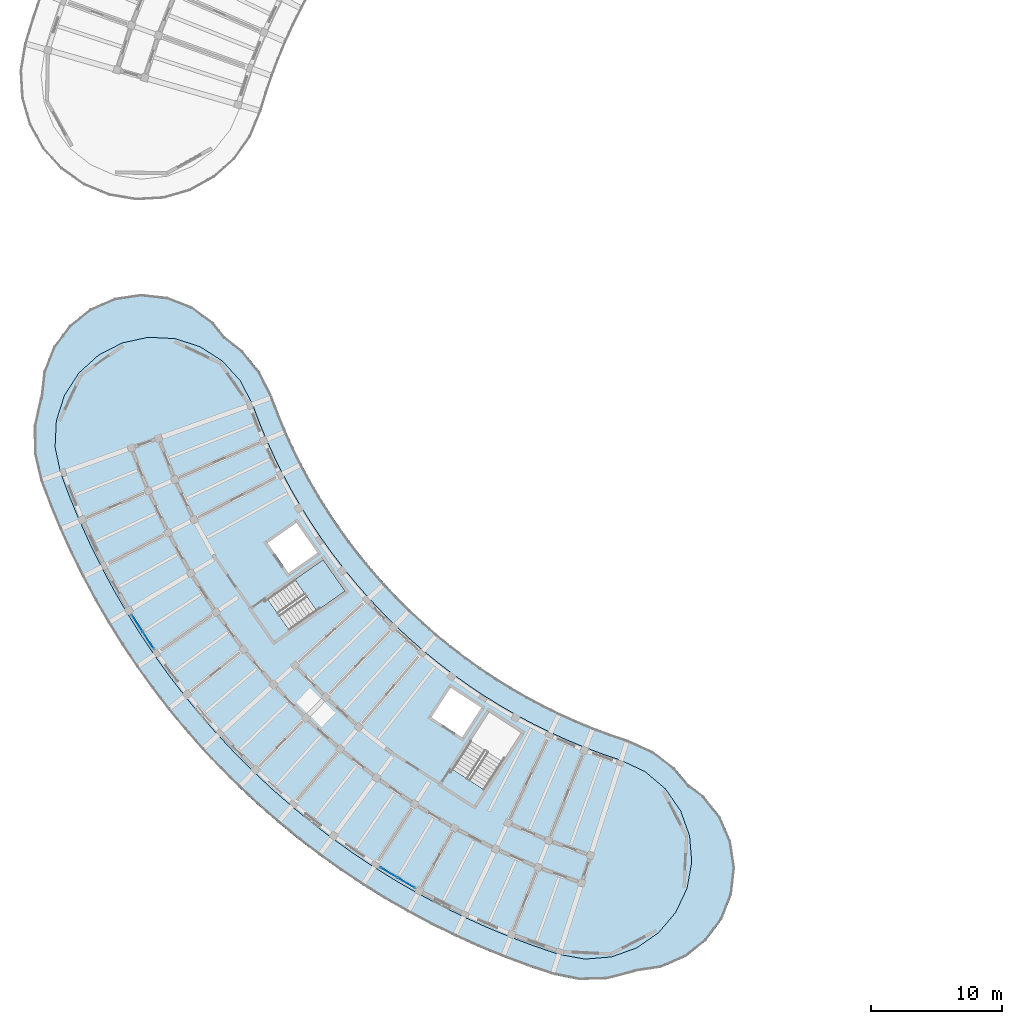
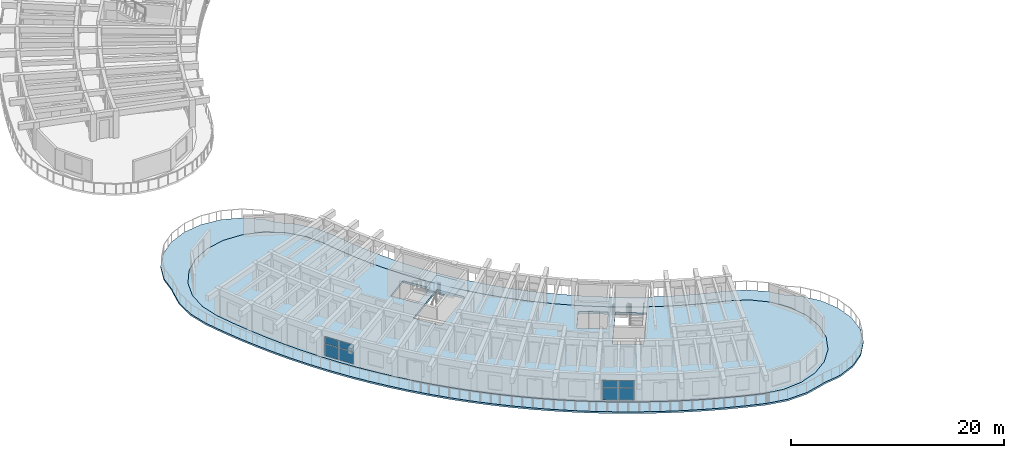
# One storey, part 29 of 78: 8 plates, 3 slabs, 3 elements without a shape of their own.
"""IFC4 building model written with IfcOpenShell, lengths in metres."""

from ifc_helpers import new_model, si_unit, direction, frame, origin, origin_2d, place, context, subcontext, project, spatial, polyline, rectangle, outline, extrude, material, layer, layer_set, type_object, element, aggregate, save


model = new_model("IFC4")

# Units and contexts
model_context = context("Model", 3, precision=1e-05, world=origin(), true_north=direction((0.0, 1.0)))
body_context = subcontext(model_context, "Body", "Model", "MODEL_VIEW")
ifc_project = project(units=[si_unit("LENGTHUNIT", "METRE"), si_unit("AREAUNIT", "SQUARE_METRE"), si_unit("VOLUMEUNIT", "CUBIC_METRE"), si_unit("PLANEANGLEUNIT", "RADIAN"), si_unit("MASSUNIT", "GRAM", prefix="KILO")], contexts=[model_context])

# Site, building, storey
site_placement = place(None, origin())
site = spatial("IfcSite", under=ifc_project, at=site_placement, CompositionType="ELEMENT")
building_placement = place(site_placement, origin())
building = spatial("IfcBuilding", under=site, at=building_placement, Name="Tanwirah Colonnade Gardens", CompositionType="ELEMENT")
storey_placement = place(building_placement, frame((0.0, 0.0, 22.280029296875)))
storey = spatial("IfcBuildingStorey", under=building, at=storey_placement, Name="L06", CompositionType="ELEMENT", Elevation=22.280029296875)

# Curtain wall, plates
ifc_material_1 = material(Name="Bronze-anodised aluminium and solar-control low-E glass", Category="aluminium")
curtain_wall_type = type_object("IfcCurtainWallType", Name="CW-LOB", PredefinedType="NOTDEFINED", material=ifc_material_1)
curtain_wall_1_placement = place(storey_placement, origin())
curtain_wall_1 = element("IfcCurtainWall", 1, at=curtain_wall_1_placement, inside=storey, type_object=curtain_wall_type, Name="Curtain Wall CW-C-L06-OUT-04", PredefinedType="NOTDEFINED")
ifc_material_2 = material(Name="Acoustic solar-control low-E double glazing", Category="glass")
ifc_layer_1 = layer(ifc_material_2, 0.031982421875)
ifc_layer_set_1 = layer_set([ifc_layer_1], Name="Acoustic solar-control low-E double glazing")
plate_type = type_object("IfcPlateType", Name="CWP-GLZ32", PredefinedType="CURTAIN_PANEL", material=ifc_layer_set_1)
plate_1_placement = place(storey_placement, frame((14.591796875, 32.845458984375, 0.070068359375), z_axis=(0.0, 0.0, 1.0), x_axis=(0.542807180243, -0.839857348052, 0.0)))
plate_1 = element("IfcPlate", 2, at=plate_1_placement, type_object=plate_type, Name="CW-LOB panel 1.1", PredefinedType="CURTAIN_PANEL", context=body_context, shape_type="SweptSolid", body=[
    extrude(rectangle(XDim=1.4833984375, YDim=0.031982421875, at=origin_2d()), origin(), (0.0, 0.0, 1.0), 1.35498046875),
])
plate_2_placement = place(storey_placement, frame((14.591796875, 32.845458984375, 1.4951171875), z_axis=(0.0, 0.0, 1.0), x_axis=(0.542807180243, -0.839857348052, 0.0)))
plate_2 = element("IfcPlate", 3, at=plate_2_placement, type_object=plate_type, Name="CW-LOB panel 1.2", PredefinedType="CURTAIN_PANEL", context=body_context, shape_type="SweptSolid", body=[
    extrude(rectangle(XDim=1.4833984375, YDim=0.031982421875, at=origin_2d()), origin(), (0.0, 0.0, 1.0), 0.789794921875),
])
plate_3_placement = place(storey_placement, frame((15.434814453125, 31.540771484375, 0.070068359375), z_axis=(0.0, 0.0, 1.0), x_axis=(0.542807180243, -0.839857348052, 0.0)))
plate_3 = element("IfcPlate", 4, at=plate_3_placement, type_object=plate_type, Name="CW-LOB panel 2.1", PredefinedType="CURTAIN_PANEL", context=body_context, shape_type="SweptSolid", body=[
    extrude(rectangle(XDim=1.4833984375, YDim=0.031982421875, at=origin_2d()), origin(), (0.0, 0.0, 1.0), 1.35498046875),
])
plate_4_placement = place(storey_placement, frame((15.434814453125, 31.540771484375, 1.4951171875), z_axis=(0.0, 0.0, 1.0), x_axis=(0.542807180243, -0.839857348052, 0.0)))
plate_4 = element("IfcPlate", 5, at=plate_4_placement, type_object=plate_type, Name="CW-LOB panel 2.2", PredefinedType="CURTAIN_PANEL", context=body_context, shape_type="SweptSolid", body=[
    extrude(rectangle(XDim=1.4833984375, YDim=0.031982421875, at=origin_2d()), origin(), (0.0, 0.0, 1.0), 0.789794921875),
])
aggregate(curtain_wall_1, [plate_1, plate_2, plate_3, plate_4])

curtain_wall_2_placement = place(storey_placement, origin())
curtain_wall_2 = element("IfcCurtainWall", 6, at=curtain_wall_2_placement, inside=storey, type_object=curtain_wall_type, Name="Curtain Wall CW-C-L06-OUT-11", PredefinedType="NOTDEFINED")
plate_5_placement = place(storey_placement, frame((33.79052734375, 13.81494140625, 0.070068359375), z_axis=(0.0, 0.0, 1.0), x_axis=(0.858289025142, -0.513166590222, 0.0)))
plate_5 = element("IfcPlate", 7, at=plate_5_placement, type_object=plate_type, Name="CW-LOB panel 1.1", PredefinedType="CURTAIN_PANEL", context=body_context, shape_type="SweptSolid", body=[
    extrude(rectangle(XDim=1.4833984375, YDim=0.031982421875, at=origin_2d()), origin(), (0.0, 0.0, 1.0), 1.35498046875),
])
plate_6_placement = place(storey_placement, frame((33.79052734375, 13.81494140625, 1.4951171875), z_axis=(0.0, 0.0, 1.0), x_axis=(0.858289025142, -0.513166590222, 0.0)))
plate_6 = element("IfcPlate", 8, at=plate_6_placement, type_object=plate_type, Name="CW-LOB panel 1.2", PredefinedType="CURTAIN_PANEL", context=body_context, shape_type="SweptSolid", body=[
    extrude(rectangle(XDim=1.4833984375, YDim=0.031982421875, at=origin_2d()), origin(), (0.0, 0.0, 1.0), 0.789794921875),
])
plate_7_placement = place(storey_placement, frame((35.1240234375, 13.017578125, 0.070068359375), z_axis=(0.0, 0.0, 1.0), x_axis=(0.858289025142, -0.513166590222, 0.0)))
plate_7 = element("IfcPlate", 9, at=plate_7_placement, type_object=plate_type, Name="CW-LOB panel 2.1", PredefinedType="CURTAIN_PANEL", context=body_context, shape_type="SweptSolid", body=[
    extrude(rectangle(XDim=1.4833984375, YDim=0.031982421875, at=origin_2d()), origin(), (0.0, 0.0, 1.0), 1.35498046875),
])
plate_8_placement = place(storey_placement, frame((35.1240234375, 13.017578125, 1.4951171875), z_axis=(0.0, 0.0, 1.0), x_axis=(0.858289025142, -0.513166590222, 0.0)))
plate_8 = element("IfcPlate", 10, at=plate_8_placement, type_object=plate_type, Name="CW-LOB panel 2.2", PredefinedType="CURTAIN_PANEL", context=body_context, shape_type="SweptSolid", body=[
    extrude(rectangle(XDim=1.4833984375, YDim=0.031982421875, at=origin_2d()), origin(), (0.0, 0.0, 1.0), 0.789794921875),
])
aggregate(curtain_wall_2, [plate_5, plate_6, plate_7, plate_8])

# Slab
ifc_material_3 = material(Name="White architectural precast concrete C40/50", Category="concrete")
ifc_layer_2 = layer(ifc_material_3, 0.199951171875)
ifc_layer_set_2 = layer_set([ifc_layer_2], Name="White architectural precast concrete C40/50")
slab_type_1 = type_object("IfcSlabType", Name="SL-BAL-200", PredefinedType="FLOOR", material=ifc_layer_set_2)
slab_1_placement = place(storey_placement, frame((0.0, 0.0, -0.199951171875)))
element("IfcSlab", 11, at=slab_1_placement, inside=storey, type_object=slab_type_1, Name="Block C L06 Continuous White Balcony Ribbon", PredefinedType="FLOOR", context=body_context, shape_type="SweptSolid", body=[
    extrude(outline(polyline([(21.296875, 54.691162109375), (20.4326171875, 55.777587890625), (18.7958984375, 56.98876953125), (16.9013671875, 57.735107421875), (14.878173828125, 57.965576171875), (12.864501953125, 57.664794921875), (10.9970703125, 56.852783203125), (9.403564453125, 55.585205078125), (8.1923828125, 53.948486328125), (7.446044921875, 52.053955078125), (7.222412109375, 50.090087890625), (7.161376953125, 49.9609375), (6.709716796875, 47.905029296875), (6.726806640625, 45.80029296875), (7.2119140625, 43.751953125), (7.921630859375, 41.872314453125), (8.692626953125, 40.016845703125), (9.523681640625, 38.1875), (10.414306640625, 36.386474609375), (11.363525390625, 34.61572265625), (12.369873046875, 32.876708984375), (13.432861328125, 31.171630859375), (14.55078125, 29.502197265625), (15.722900390625, 27.870361328125), (16.94775390625, 26.277587890625), (18.22412109375, 24.725830078125), (19.550537109375, 23.216796875), (20.92578125, 21.751708984375), (22.347900390625, 20.33251953125), (23.81591796875, 18.960693359375), (25.327880859375, 17.637451171875), (26.882568359375, 16.364501953125), (28.477783203125, 15.143310546875), (30.1123046875, 13.974609375), (31.7841796875, 12.860107421875), (33.491455078125, 11.801025390625), (35.232666015625, 10.79833984375), (37.005615234375, 9.85302734375), (38.80859375, 8.966552734375), (40.6396484375, 8.13916015625), (42.496826171875, 7.372314453125), (44.3779296875, 6.666748046875), (46.28125, 6.02294921875), (48.34521484375, 5.609619140625), (50.449462890625, 5.666015625), (52.48828125, 6.189208984375), (52.615234375, 6.254638671875), (54.570068359375, 6.546875), (56.437255859375, 7.358642578125), (58.031005859375, 8.626220703125), (59.2421875, 10.26318359375), (59.98828125, 12.15771484375), (60.218994140625, 14.1806640625), (59.91796875, 16.194580078125), (59.10595703125, 18.06201171875), (57.83837890625, 19.655517578125), (56.722412109375, 20.481201171875), (55.61328125, 21.7978515625), (53.93310546875, 23.06591796875), (52.0126953125, 23.927978515625), (50.692138671875, 24.37451171875), (49.386962890625, 24.8642578125), (48.0986328125, 25.396240234375), (46.828125, 25.97021484375), (45.5771484375, 26.58544921875), (44.34716796875, 27.2412109375), (43.13916015625, 27.93701171875), (41.95458984375, 28.671630859375), (40.794677734375, 29.445068359375), (39.66064453125, 30.255615234375), (38.5537109375, 31.10302734375), (37.47509765625, 31.986328125), (36.426025390625, 32.904296875), (35.407470703125, 33.856201171875), (34.420654296875, 34.8408203125), (33.466796875, 35.857177734375), (32.54638671875, 36.904296875), (31.660888671875, 37.98095703125), (30.81103515625, 39.0859375), (29.997802734375, 40.218017578125), (29.22216796875, 41.37646484375), (28.484619140625, 42.559326171875), (27.786376953125, 43.765869140625), (27.1279296875, 44.99462890625), (26.510009765625, 46.244140625), (25.933349609375, 47.51318359375), (25.3984375, 48.800537109375), (24.906005859375, 50.104736328125), (23.977294921875, 51.99365234375), (22.651611328125, 53.628662109375), (21.296875, 54.691162109375)]), holes=[polyline([(22.451171875, 51.36279296875), (23.3818359375, 49.555908203125), (23.892333984375, 48.203857421875), (23.892578125, 48.203369140625), (24.447509765625, 46.86767578125), (24.44775390625, 46.866943359375), (25.046142578125, 45.55029296875), (25.04638671875, 45.549560546875), (25.6875, 44.253173828125), (25.687744140625, 44.25244140625), (26.37109375, 42.977783203125), (26.371337890625, 42.97705078125), (27.095947265625, 41.725341796875), (27.09619140625, 41.724853515625), (27.861328125, 40.497314453125), (27.86181640625, 40.496826171875), (28.66650390625, 39.294921875), (28.6669921875, 39.29443359375), (29.5107421875, 38.11962890625), (29.51123046875, 38.119140625), (30.392822265625, 36.97265625), (30.393310546875, 36.97216796875), (31.31201171875, 35.85498046875), (31.3125, 35.8544921875), (32.267333984375, 34.76806640625), (32.267822265625, 34.767578125), (33.257568359375, 33.713134765625), (33.258056640625, 33.712646484375), (34.281982421875, 32.69091796875), (34.282470703125, 32.690673828125), (35.339111328125, 31.702880859375), (35.339599609375, 31.70263671875), (36.42822265625, 30.75), (36.4287109375, 30.749755859375), (37.547607421875, 29.833251953125), (37.54833984375, 29.8330078125), (38.69677734375, 28.95361328125), (38.697265625, 28.953369140625), (39.873779296875, 28.112060546875), (39.874267578125, 28.111572265625), (41.077880859375, 27.309326171875), (41.078369140625, 27.30908203125), (42.307373046875, 26.546630859375), (42.30810546875, 26.54638671875), (43.5615234375, 25.824462890625), (43.56201171875, 25.82421875), (44.83837890625, 25.143798828125), (44.8388671875, 25.1435546875), (46.13671875, 24.505126953125), (46.137451171875, 24.5048828125), (47.45556640625, 23.909423828125), (47.4560546875, 23.9091796875), (48.79296875, 23.357177734375), (48.793701171875, 23.35693359375), (50.14794921875, 22.848876953125), (50.1484375, 22.8486328125), (51.517578125, 22.385498046875), (53.355712890625, 21.5185546875), (54.90576171875, 20.206298828125), (56.0634765625, 18.53759765625), (56.749755859375, 16.626220703125), (56.91796875, 14.60205078125), (56.556640625, 12.603515625), (55.690185546875, 10.766845703125), (54.3779296875, 9.216552734375), (52.709228515625, 8.05908203125), (50.7978515625, 7.372802734375), (48.773681640625, 7.20458984375), (46.774169921875, 7.566162109375), (44.922119140625, 8.192626953125), (43.090576171875, 8.879638671875), (41.282470703125, 9.626220703125), (39.499755859375, 10.431640625), (37.744384765625, 11.294921875), (36.01806640625, 12.21533203125), (34.322998046875, 13.19140625), (32.66064453125, 14.22265625), (31.03271484375, 15.3076171875), (29.44140625, 16.445556640625), (27.88818359375, 17.634521484375), (26.374755859375, 18.8740234375), (24.902587890625, 20.162109375), (23.473388671875, 21.497802734375), (22.088623046875, 22.879638671875), (20.749755859375, 24.305908203125), (19.458251953125, 25.775146484375), (18.215576171875, 27.2861328125), (17.023193359375, 28.836669921875), (15.8818359375, 30.425537109375), (14.79345703125, 32.051025390625), (13.758544921875, 33.7109375), (12.778564453125, 35.404052734375), (11.8544921875, 37.12841796875), (10.987548828125, 38.8818359375), (10.17822265625, 40.662841796875), (9.427490234375, 42.46923828125), (8.73681640625, 44.29833984375), (8.3056640625, 46.2841796875), (8.403076171875, 48.312744140625), (9.0224609375, 50.2470703125), (10.12109375, 51.955078125), (11.624267578125, 53.320556640625), (13.429931640625, 54.25048828125), (15.41455078125, 54.681396484375), (17.443115234375, 54.583984375), (19.37744140625, 53.96484375), (21.085693359375, 52.8662109375), (22.451171875, 51.36279296875)])]), origin(), (0.0, 0.0, 1.0), 0.199951171875),
])

# Stair, slab
ifc_material_4 = material(Name="Precast concrete C40/50", Category="concrete")
stair_type = type_object("IfcStairType", Name="ST-RES168", PredefinedType="HALF_TURN_STAIR", material=ifc_material_4)
stair_placement = place(storey_placement, origin())
stair = element("IfcStair", 12, at=stair_placement, inside=storey, type_object=stair_type, Name="L06 Block C Core 1 Exit Stair", PredefinedType="HALF_TURN_STAIR")
ifc_layer_3 = layer(ifc_material_4, 0.205078125)
ifc_layer_set_3 = layer_set([ifc_layer_3], Name="Precast concrete C40/50")
slab_type_2 = type_object("IfcSlabType", Name="SL-LND-205", PredefinedType="LANDING", material=ifc_layer_set_3)
slab_2_placement = place(storey_placement, frame((0.0, 0.0, 1.474853515625)))
slab_2 = element("IfcSlab", 13, at=slab_2_placement, type_object=slab_type_2, Name="ST-C1 landing 1", PredefinedType="LANDING", context=body_context, shape_type="SweptSolid", body=[
    extrude(outline(polyline([(28.290283203125, 33.79052734375), (30.448974609375, 35.3017578125), (28.77392578125, 37.69384765625), (26.615478515625, 36.182373046875), (28.290283203125, 33.79052734375)])), origin(), (0.0, 0.0, 1.0), 0.205078125),
])
aggregate(stair, [slab_2])

# Slab
ifc_layer_4 = layer(ifc_material_4, 0.25)
ifc_layer_set_4 = layer_set([ifc_layer_4], Name="Precast concrete C40/50")
slab_type_3 = type_object("IfcSlabType", Name="SL-RES-250", PredefinedType="FLOOR", material=ifc_layer_set_4)
slab_3_placement = place(storey_placement, frame((0.0, 0.0, -0.25)))
element("IfcSlab", 14, at=slab_3_placement, inside=storey, type_object=slab_type_3, Name="Block C L06 Precast Composite Floor Slab", PredefinedType="FLOOR", context=body_context, shape_type="SweptSolid", body=[
    extrude(outline(polyline([(24.466064453125, 46.875244140625), (23.910888671875, 48.2109375), (23.39990234375, 49.56396484375), (22.4677734375, 51.374267578125), (21.0986328125, 52.881591796875), (19.385986328125, 53.983154296875), (17.44677734375, 54.603759765625), (15.412841796875, 54.70166015625), (13.423095703125, 54.26953125), (11.61279296875, 53.337158203125), (10.105712890625, 51.968017578125), (9.004150390625, 50.255615234375), (8.38330078125, 48.31640625), (8.28564453125, 46.282470703125), (8.7177734375, 44.29248046875), (9.408935546875, 42.4619140625), (10.159912109375, 40.65478515625), (10.969482421875, 38.873291015625), (11.836669921875, 37.119140625), (12.76123046875, 35.394287109375), (13.741455078125, 33.70068359375), (14.776611328125, 32.0400390625), (15.865478515625, 30.414306640625), (17.007080078125, 28.82470703125), (18.199951171875, 27.273681640625), (19.443115234375, 25.76220703125), (20.73486328125, 24.29248046875), (22.07421875, 22.86572265625), (23.45947265625, 21.4833984375), (24.88916015625, 20.1474609375), (26.36181640625, 18.858642578125), (27.875732421875, 17.618896484375), (29.4296875, 16.429443359375), (31.021484375, 15.291259765625), (32.649658203125, 14.205810546875), (34.312744140625, 13.17431640625), (36.00830078125, 12.19775390625), (37.735107421875, 11.277099609375), (39.4912109375, 10.41357421875), (41.2744140625, 9.60791015625), (43.083251953125, 8.861083984375), (44.91552734375, 8.173828125), (46.76904296875, 7.546630859375), (48.772705078125, 7.184326171875), (50.802001953125, 7.35302734375), (52.718505859375, 8.041015625), (54.3916015625, 9.20166015625), (55.707275390625, 10.755859375), (56.57568359375, 12.597412109375), (56.93798828125, 14.60107421875), (56.76953125, 16.63037109375), (56.081298828125, 18.546875), (54.920654296875, 20.219970703125), (53.36669921875, 21.535400390625), (51.52490234375, 22.404052734375), (50.15478515625, 22.867431640625), (48.800537109375, 23.37548828125), (47.4638671875, 23.927490234375), (46.145751953125, 24.523193359375), (44.84765625, 25.161376953125), (43.571533203125, 25.841796875), (42.318115234375, 26.563720703125), (41.0888671875, 27.326171875), (39.885498046875, 28.12841796875), (38.708740234375, 28.969482421875), (37.560302734375, 29.848876953125), (36.44140625, 30.76513671875), (35.352783203125, 31.717529296875), (34.296142578125, 32.705078125), (33.272216796875, 33.726806640625), (32.282470703125, 34.781494140625), (31.327392578125, 35.86767578125), (30.40869140625, 36.98486328125), (29.52685546875, 38.13134765625), (28.68310546875, 39.30615234375), (27.87841796875, 40.5078125), (27.11328125, 41.7353515625), (26.388671875, 42.987060546875), (25.705322265625, 44.261962890625), (25.064208984375, 45.55859375), (24.466064453125, 46.875244140625)]), holes=[polyline([(24.5185546875, 34.71044921875), (28.775634765625, 37.69140625), (30.447021484375, 35.30419921875), (26.18994140625, 32.323486328125), (24.5185546875, 34.71044921875)]), polyline([(26.737060546875, 40.515869140625), (28.343017578125, 38.22216796875), (26.13134765625, 36.673583984375), (24.525390625, 38.967041015625), (26.737060546875, 40.515869140625)]), polyline([(43.900146484375, 24.486572265625), (41.069580078125, 20.1279296875), (38.625732421875, 21.715087890625), (41.4560546875, 26.073486328125), (43.900146484375, 24.486572265625)]), polyline([(39.385498046875, 24.13916015625), (37.037353515625, 25.664306640625), (38.5078125, 27.9287109375), (40.856201171875, 26.403564453125), (39.385498046875, 24.13916015625)])]), origin(), (0.0, 0.0, 1.0), 0.25),
])

save(model, "model.ifc")
